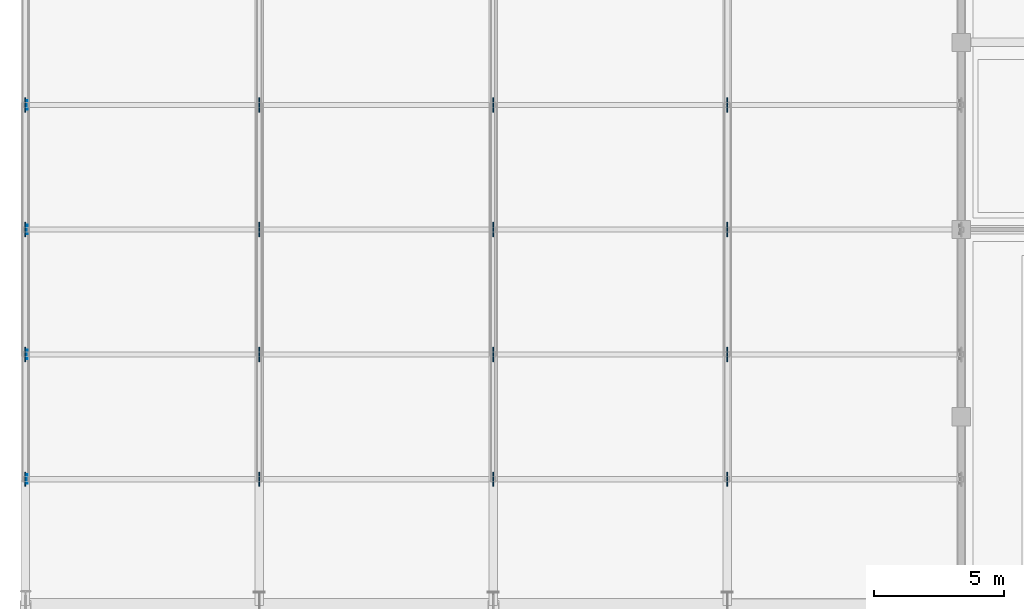
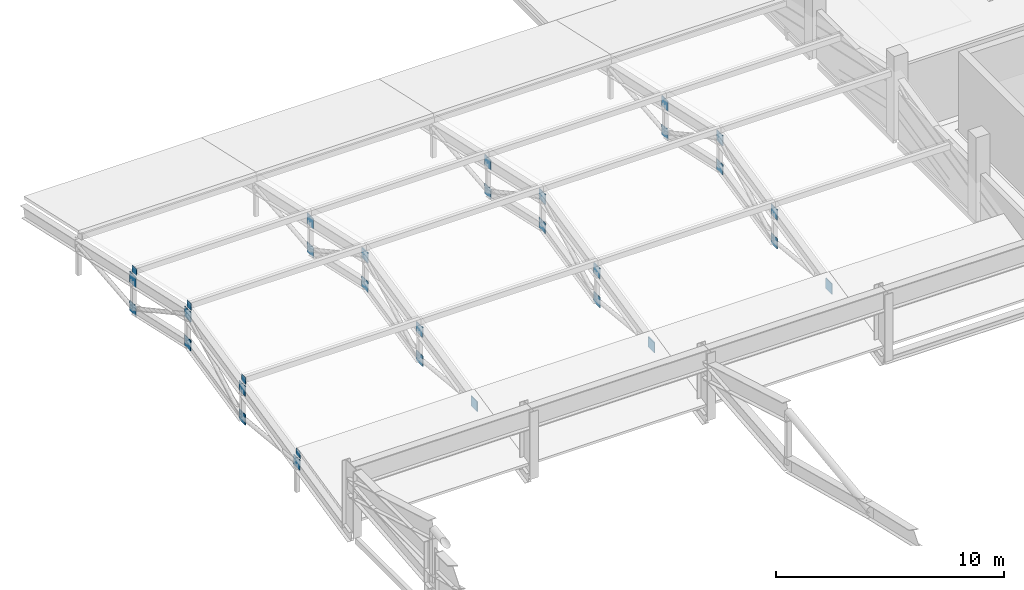
# One storey, part 97 of 151: 32 plates.
"""IFC4 building model written with IfcOpenShell, lengths in metres."""

from ifc_helpers import new_model, si_unit, direction, frame, origin, origin_2d, place, context, subcontext, project, spatial, rectangle, extrude, material, layer, layer_set, type_object, element, save


model = new_model("IFC4")

# Units and contexts
model_context = context("Model", 3, precision=1e-05, world=origin(), true_north=direction((0.0, 1.0)))
body_context = subcontext(model_context, "Body", "Model", "MODEL_VIEW")
ifc_project = project(units=[si_unit("LENGTHUNIT", "METRE"), si_unit("AREAUNIT", "SQUARE_METRE"), si_unit("VOLUMEUNIT", "CUBIC_METRE"), si_unit("PLANEANGLEUNIT", "RADIAN"), si_unit("MASSUNIT", "GRAM", prefix="KILO")], contexts=[model_context])

# Site, building, storey
site_placement = place(None, origin())
site = spatial("IfcSite", under=ifc_project, at=site_placement, CompositionType="ELEMENT")
building_placement = place(site_placement, origin())
building = spatial("IfcBuilding", under=site, at=building_placement, Name="Celestram Park Convention Centre", CompositionType="ELEMENT")
storey_placement = place(building_placement, frame((0.0, 0.0, 10.800048828125)))
storey = spatial("IfcBuildingStorey", under=building, at=storey_placement, Name="L02", CompositionType="ELEMENT", Elevation=10.800048828125)

# Plates
ifc_material = material(Name="Steel ASTM A572 Grade 50", Category="steel")
ifc_layer_1 = layer(ifc_material, 0.02490234375)
ifc_layer_set_1 = layer_set([ifc_layer_1], Name="Steel ASTM A572 Grade 50")
plate_type_1 = type_object("IfcPlateType", Name="STR-PLT-EC350", PredefinedType="USERDEFINED", material=ifc_layer_set_1)
for number, where, z_axis, x_axis, name in (
    (1, (0.068115234375, 112.800048828125, 1.106689453125), (0.0, 0.0, 1.0), (0.0, 1.0, 0.0), "HSS purlin end closure cap plate EC-L02-177"),
    (2, (0.068115234375, 117.60009765625, 2.173095703125), (0.0, 0.0, 1.0), (0.0, 1.0, 0.0), "HSS purlin end closure cap plate EC-L02-178"),
    (3, (0.068115234375, 122.39990234375, 3.239990234375), (0.0, 0.0, 1.0), (0.0, 1.0, 0.0), "HSS purlin end closure cap plate EC-L02-179"),
    (4, (0.068115234375, 127.199951171875, 2.173095703125), (0.0, 0.0, 1.0), (0.0, 1.0, 0.0), "HSS purlin end closure cap plate EC-L02-180"),
):
    element("IfcPlate", number, at=place(storey_placement, frame(where, z_axis=z_axis, x_axis=x_axis)), inside=storey, type_object=plate_type_1, Name=name, ObjectType="GUSSET_PLATE", PredefinedType="USERDEFINED", context=body_context, shape_type="SweptSolid", body=[
        extrude(rectangle(XDim=0.3701171875, YDim=0.02490234375, at=origin_2d()), origin(), (0.0, 0.0, 1.0), 0.3701171875),
    ])
ifc_layer_2 = layer(ifc_material, 0.0400390625)
ifc_layer_set_2 = layer_set([ifc_layer_2], Name="Steel ASTM A572 Grade 50")
plate_type_2 = type_object("IfcPlateType", Name="STR-PLT-GP40", PredefinedType="USERDEFINED", material=ifc_layer_set_2)
for number, where, z_axis, x_axis, name in (
    (5, (0.0, 112.800048828125, 0.5556640625), (0.0, 0.0, 1.0), (0.0, 1.0, 0.0), "WPV truss node gusset plate"),
    (6, (0.0, 117.60009765625, 1.6220703125), (0.0, 0.0, 1.0), (0.0, 1.0, 0.0), "WPV truss node gusset plate"),
    (7, (0.0, 117.60009765625, 0.072265625), (0.0, 0.0, 1.0), (0.0, 1.0, 0.0), "WPV truss node gusset plate"),
    (8, (0.0, 122.39990234375, 2.68896484375), (0.0, 0.0, 1.0), (0.0, 1.0, 0.0), "WPV truss node gusset plate"),
    (9, (0.0, 122.39990234375, 1.13916015625), (0.0, 0.0, 1.0), (0.0, 1.0, 0.0), "WPV truss node gusset plate"),
    (10, (0.0, 127.199951171875, 1.6220703125), (0.0, 0.0, 1.0), (0.0, 1.0, 0.0), "WPV truss node gusset plate"),
    (11, (0.0, 127.199951171875, 0.072265625), (0.0, 0.0, 1.0), (0.0, 1.0, 0.0), "WPV truss node gusset plate"),
    (12, (9.0, 112.800048828125, 0.5556640625), (0.0, 0.0, 1.0), (0.0, 1.0, 0.0), "WPV truss node gusset plate"),
    (13, (9.0, 117.60009765625, 1.6220703125), (0.0, 0.0, 1.0), (0.0, 1.0, 0.0), "WPV truss node gusset plate"),
    (14, (9.0, 117.60009765625, 0.072265625), (0.0, 0.0, 1.0), (0.0, 1.0, 0.0), "WPV truss node gusset plate"),
    (15, (9.0, 122.39990234375, 2.68896484375), (0.0, 0.0, 1.0), (0.0, 1.0, 0.0), "WPV truss node gusset plate"),
    (16, (9.0, 122.39990234375, 1.13916015625), (0.0, 0.0, 1.0), (0.0, 1.0, 0.0), "WPV truss node gusset plate"),
    (17, (9.0, 127.199951171875, 1.6220703125), (0.0, 0.0, 1.0), (0.0, 1.0, 0.0), "WPV truss node gusset plate"),
    (18, (9.0, 127.199951171875, 0.072265625), (0.0, 0.0, 1.0), (0.0, 1.0, 0.0), "WPV truss node gusset plate"),
    (19, (18.0, 112.800048828125, 0.5556640625), (0.0, 0.0, 1.0), (0.0, 1.0, 0.0), "WPV truss node gusset plate"),
    (20, (18.0, 117.60009765625, 1.6220703125), (0.0, 0.0, 1.0), (0.0, 1.0, 0.0), "WPV truss node gusset plate"),
    (21, (18.0, 117.60009765625, 0.072265625), (0.0, 0.0, 1.0), (0.0, 1.0, 0.0), "WPV truss node gusset plate"),
    (22, (18.0, 122.39990234375, 2.68896484375), (0.0, 0.0, 1.0), (0.0, 1.0, 0.0), "WPV truss node gusset plate"),
    (23, (18.0, 122.39990234375, 1.13916015625), (0.0, 0.0, 1.0), (0.0, 1.0, 0.0), "WPV truss node gusset plate"),
    (24, (18.0, 127.199951171875, 1.6220703125), (0.0, 0.0, 1.0), (0.0, 1.0, 0.0), "WPV truss node gusset plate"),
    (25, (18.0, 127.199951171875, 0.072265625), (0.0, 0.0, 1.0), (0.0, 1.0, 0.0), "WPV truss node gusset plate"),
    (26, (27.0, 112.800048828125, 0.5556640625), (0.0, 0.0, 1.0), (0.0, 1.0, 0.0), "WPV truss node gusset plate"),
    (27, (27.0, 117.60009765625, 1.6220703125), (0.0, 0.0, 1.0), (0.0, 1.0, 0.0), "WPV truss node gusset plate"),
    (28, (27.0, 117.60009765625, 0.072265625), (0.0, 0.0, 1.0), (0.0, 1.0, 0.0), "WPV truss node gusset plate"),
    (29, (27.0, 122.39990234375, 2.68896484375), (0.0, 0.0, 1.0), (0.0, 1.0, 0.0), "WPV truss node gusset plate"),
    (30, (27.0, 122.39990234375, 1.13916015625), (0.0, 0.0, 1.0), (0.0, 1.0, 0.0), "WPV truss node gusset plate"),
    (31, (27.0, 127.199951171875, 1.6220703125), (0.0, 0.0, 1.0), (0.0, 1.0, 0.0), "WPV truss node gusset plate"),
    (32, (27.0, 127.199951171875, 0.072265625), (0.0, 0.0, 1.0), (0.0, 1.0, 0.0), "WPV truss node gusset plate"),
):
    element("IfcPlate", number, at=place(storey_placement, frame(where, z_axis=z_axis, x_axis=x_axis)), inside=storey, type_object=plate_type_2, Name=name, ObjectType="GUSSET_PLATE", PredefinedType="USERDEFINED", context=body_context, shape_type="SweptSolid", body=[
        extrude(rectangle(XDim=0.550048828125, YDim=0.0400390625, at=origin_2d()), origin(), (0.0, 0.0, 1.0), 0.550048828125),
    ])

save(model, "model.ifc")
